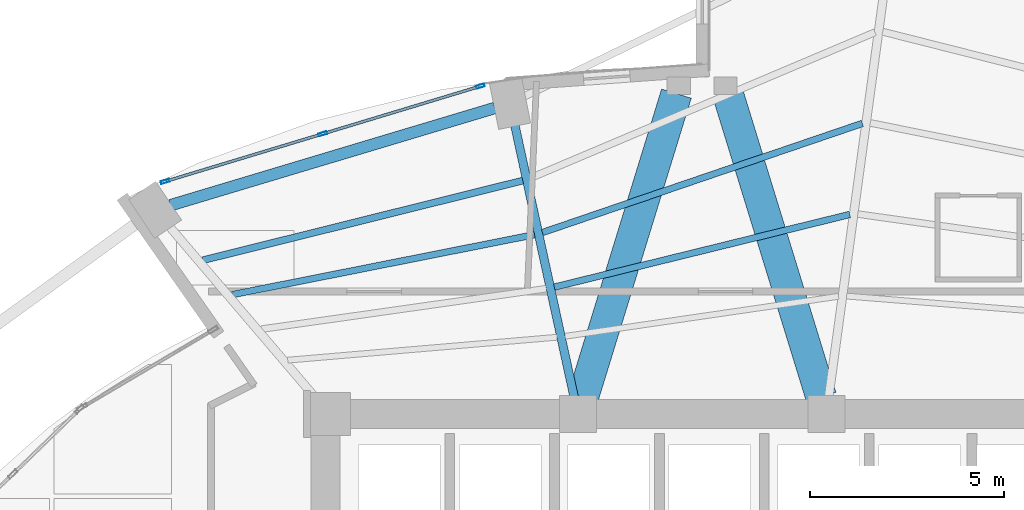
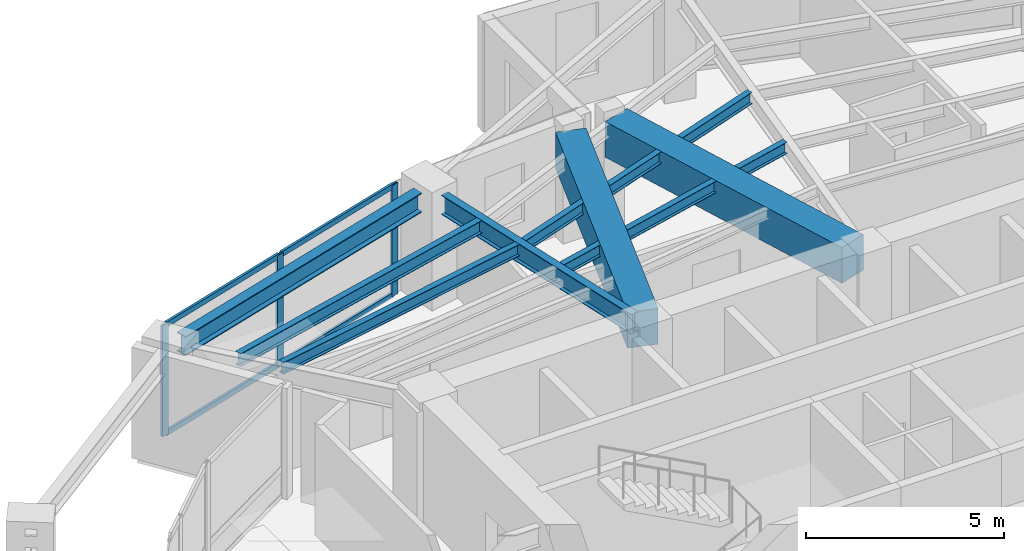
# One storey, part 15 of 24: 8 beams, 7 members, 1 element without a shape of its own.
"""IFC4 building model written with IfcOpenShell, lengths in metres."""

from ifc_helpers import new_model, si_unit, direction, frame, origin, origin_2d, place, context, subcontext, project, spatial, rectangle, hollow_rectangle, i_section, extrude, material, layer, layer_set, material_profile, profile_set, type_object, element, aggregate, save


model = new_model("IFC4")

# Units and contexts
model_context = context("Model", 3, precision=1e-05, world=origin(), true_north=direction((0.0, 1.0)))
body_context = subcontext(model_context, "Body", "Model", "MODEL_VIEW")
ifc_project = project(units=[si_unit("LENGTHUNIT", "METRE"), si_unit("AREAUNIT", "SQUARE_METRE"), si_unit("VOLUMEUNIT", "CUBIC_METRE"), si_unit("PLANEANGLEUNIT", "RADIAN"), si_unit("MASSUNIT", "GRAM", prefix="KILO")], contexts=[model_context])

# Site, building, storey
site_placement = place(None, origin())
site = spatial("IfcSite", under=ifc_project, at=site_placement, CompositionType="ELEMENT")
building_placement = place(site_placement, origin())
building = spatial("IfcBuilding", under=site, at=building_placement, Name="Lazwardi Medical Tower", CompositionType="ELEMENT")
storey_placement = place(building_placement, frame((0.0, 0.0, 114.575927734375)))
storey = spatial("IfcBuildingStorey", under=building, at=storey_placement, Name="L29", CompositionType="ELEMENT", Elevation=114.575927734375)

# Beams
ifc_material_1 = material(Name="Concrete C70/85", Category="concrete")
ifc_material_profile_1 = material_profile(ifc_material_1, rectangle(XDim=0.800048828125, YDim=1.10009765625, at=origin_2d()), Name="RC 800x1100")
ifc_profile_set_1 = profile_set([ifc_material_profile_1], Name="Concrete C70/85")
beam_type_1 = type_object("IfcBeamType", Name="BM-CB-RC1", PredefinedType="LINTEL", material=ifc_profile_set_1)
for number, where, z_axis, x_axis, name in (
    (1, (32.935302734375, 36.039794921875, 2.878173828125), (0.294073251002, 0.955782884888, 0.0), (-0.955782884888, 0.294073251002, 0.0), "Core coupling lintel CB-01 PL1 L29"),
    (2, (39.064697265625, 36.039794921875, 2.878173828125), (-0.294073251002, 0.955782884888, 0.0), (-0.955782884888, -0.294073251002, 0.0), "Core coupling lintel CB-01 PL2 L29"),
):
    element("IfcBeam", number, at=place(storey_placement, frame(where, z_axis=z_axis, x_axis=x_axis)), inside=storey, type_object=beam_type_1, Name=name, PredefinedType="LINTEL", context=body_context, shape_type="SweptSolid", body=[
        extrude(rectangle(XDim=0.800048828125, YDim=1.10009765625, at=origin_2d()), origin(), (0.0, 0.0, 1.0), 8.1708984375),
    ])
ifc_material_2 = material(Name="Steel S355", Category="steel")
ifc_material_profile_2 = material_profile(ifc_material_2, i_section(OverallWidth=0.300048828125, OverallDepth=0.60009765625, WebThickness=0.015380859375, FlangeThickness=0.030029296875, at=origin_2d()), Name="HEB 600")
ifc_profile_set_2 = profile_set([ifc_material_profile_2], Name="Steel S355")
beam_type_2 = type_object("IfcBeamType", Name="BM-RB-Z2", PredefinedType="BEAM", material=ifc_profile_set_2)
beam_1_placement = place(storey_placement, frame((30.661865234375, 43.4794921875, 3.128173828125), z_axis=(-0.957879438442, -0.287170648587, 0.0), x_axis=(0.287170648587, -0.957879438442, 0.0)))
element("IfcBeam", 3, at=beam_1_placement, inside=storey, type_object=beam_type_2, Name="Ring beam RB-03 B09 L29", PredefinedType="BEAM", context=body_context, shape_type="SweptSolid", body=[
    extrude(i_section(OverallWidth=0.300048828125, OverallDepth=0.60009765625, WebThickness=0.015380859375, FlangeThickness=0.030029296875, at=origin_2d()), origin(), (0.0, 0.0, 1.0), 8.719970703125),
])
ifc_material_profile_3 = material_profile(ifc_material_2, i_section(OverallWidth=0.219970703125, OverallDepth=0.60009765625, WebThickness=0.011962890625, FlangeThickness=0.01904296875, at=origin_2d()), Name="IPE 600")
ifc_profile_set_3 = profile_set([ifc_material_profile_3], Name="Steel S355")
beam_type_3 = type_object("IfcBeamType", Name="BM-RG-W1", PredefinedType="BEAM", material=ifc_profile_set_3)
beam_2_placement = place(storey_placement, frame((31.17822265625, 43.03076171875, 3.128173828125), z_axis=(0.213228150441, -0.977002433907, 0.0), x_axis=(0.977002433907, 0.213228150441, 0.0)))
element("IfcBeam", 4, at=beam_2_placement, inside=storey, type_object=beam_type_3, Name="Radial girder RG-02 R09 L29", PredefinedType="BEAM", context=body_context, shape_type="SweptSolid", body=[
    extrude(i_section(OverallWidth=0.219970703125, OverallDepth=0.60009765625, WebThickness=0.011962890625, FlangeThickness=0.01904296875, at=origin_2d()), origin(), (0.0, 0.0, 1.0), 7.145751953125),
])
ifc_material_profile_4 = material_profile(ifc_material_2, i_section(OverallWidth=0.179931640625, OverallDepth=0.39990234375, WebThickness=0.008544921875, FlangeThickness=0.013427734375, at=origin_2d()), Name="IPE 400")
ifc_profile_set_4 = profile_set([ifc_material_profile_4], Name="Steel S355")
beam_type_4 = type_object("IfcBeamType", Name="BM-SJ-01", PredefinedType="JOIST", material=ifc_profile_set_4)
beam_3_placement = place(storey_placement, frame((31.381103515625, 41.609130859375, 3.22802734375), z_axis=(-0.970400881943, -0.241499748081, 0.0), x_axis=(0.241499748081, -0.970400881943, 0.0)))
element("IfcBeam", 5, at=beam_3_placement, inside=storey, type_object=beam_type_4, Name="Secondary joist SJ-01 R1 B09 L29", PredefinedType="JOIST", context=body_context, shape_type="SweptSolid", body=[
    extrude(i_section(OverallWidth=0.179931640625, OverallDepth=0.39990234375, WebThickness=0.008544921875, FlangeThickness=0.013427734375, at=origin_2d()), origin(), (0.0, 0.0, 1.0), 8.48583984375),
])
ifc_material_profile_5 = material_profile(ifc_material_2, i_section(OverallWidth=0.169921875, OverallDepth=0.360107421875, WebThickness=0.008056640625, FlangeThickness=0.0126953125, at=origin_2d()), Name="IPE 360")
ifc_profile_set_5 = profile_set([ifc_material_profile_5], Name="Steel S355")
beam_type_5 = type_object("IfcBeamType", Name="BM-SJ-02", PredefinedType="JOIST", material=ifc_profile_set_5)
beam_4_placement = place(storey_placement, frame((40.125732421875, 43.08203125, 3.248046875), z_axis=(-0.946467154368, -0.322800132749, 0.0), x_axis=(0.322800132749, -0.946467154368, 0.0)))
element("IfcBeam", 6, at=beam_4_placement, inside=storey, type_object=beam_type_5, Name="Secondary joist SJ-02 R2 B08 L29", PredefinedType="JOIST", context=body_context, shape_type="SweptSolid", body=[
    extrude(i_section(OverallWidth=0.169921875, OverallDepth=0.360107421875, WebThickness=0.008056640625, FlangeThickness=0.0126953125, at=origin_2d()), origin(), (0.0, 0.0, 1.0), 8.70458984375),
])
beam_5_placement = place(storey_placement, frame((31.684814453125, 40.2177734375, 3.248046875), z_axis=(-0.980878853282, -0.194619308352, 0.0), x_axis=(0.194619308352, -0.980878853282, 0.0)))
element("IfcBeam", 7, at=beam_5_placement, inside=storey, type_object=beam_type_5, Name="Secondary joist SJ-02 R2 B09 L29", PredefinedType="JOIST", context=body_context, shape_type="SweptSolid", body=[
    extrude(i_section(OverallWidth=0.169921875, OverallDepth=0.360107421875, WebThickness=0.008056640625, FlangeThickness=0.0126953125, at=origin_2d()), origin(), (0.0, 0.0, 1.0), 7.93701171875),
])
beam_6_placement = place(storey_placement, frame((39.80224609375, 40.737548828125, 3.248046875), z_axis=(-0.97107737879, -0.238764998276, 0.0), x_axis=(0.238764998276, -0.97107737879, 0.0)))
element("IfcBeam", 8, at=beam_6_placement, inside=storey, type_object=beam_type_5, Name="Secondary joist SJ-02 R3 B08 L29", PredefinedType="JOIST", context=body_context, shape_type="SweptSolid", body=[
    extrude(i_section(OverallWidth=0.169921875, OverallDepth=0.360107421875, WebThickness=0.008056640625, FlangeThickness=0.0126953125, at=origin_2d()), origin(), (0.0, 0.0, 1.0), 7.83447265625),
])

# Curtain wall, members
ifc_material_3 = material(Name="Anodised bronze aluminium and solar control glazing", Category="aluminium")
ifc_layer = layer(ifc_material_3, 0.195068359375)
ifc_layer_set = layer_set([ifc_layer], Name="Anodised bronze aluminium and solar control glazing")
curtain_wall_type = type_object("IfcCurtainWallType", Name="CW-SYS-03", PredefinedType="NOTDEFINED", material=ifc_layer_set)
curtain_wall_placement = place(storey_placement, origin())
curtain_wall = element("IfcCurtainWall", 9, at=curtain_wall_placement, inside=storey, type_object=curtain_wall_type, Name="L29 Unitised bronze curtain wall CW-03", PredefinedType="NOTDEFINED")
ifc_material_4 = material(Name="Anodised bronze aluminium", Category="aluminium")
ifc_material_profile_6 = material_profile(ifc_material_4, hollow_rectangle(XDim=0.074951171875, YDim=0.219970703125, WallThickness=0.00390625, at=origin_2d()), Name="ALU-MULLION 220x75x4")
ifc_profile_set_6 = profile_set([ifc_material_profile_6], Name="Anodised bronze aluminium")
member_type_1 = type_object("IfcMemberType", Name="CW-MUL-01", PredefinedType="MULLION", material=ifc_profile_set_6)
member_1_placement = place(storey_placement, frame((30.289794921875, 44.0400390625, 0.0), z_axis=(0.0, 0.0, 1.0), x_axis=(0.28937381157, -0.957216170558, 0.0)))
member_1 = element("IfcMember", 10, at=member_1_placement, type_object=member_type_1, Name="CW-03 mullion 1", PredefinedType="MULLION", context=body_context, shape_type="SweptSolid", body=[
    extrude(hollow_rectangle(XDim=0.074951171875, YDim=0.219970703125, WallThickness=0.00390625, at=origin_2d()), origin(), (0.0, 0.0, 1.0), 3.427978515625),
])
member_2_placement = place(storey_placement, frame((26.230712890625, 42.81298828125, 0.0), z_axis=(0.0, 0.0, 1.0), x_axis=(0.28937381157, -0.957216170558, 0.0)))
member_2 = element("IfcMember", 11, at=member_2_placement, type_object=member_type_1, Name="CW-03 mullion 2", PredefinedType="MULLION", context=body_context, shape_type="SweptSolid", body=[
    extrude(hollow_rectangle(XDim=0.074951171875, YDim=0.219970703125, WallThickness=0.00390625, at=origin_2d()), origin(), (0.0, 0.0, 1.0), 3.427978515625),
])
member_3_placement = place(storey_placement, frame((22.171630859375, 41.5859375, 0.0), z_axis=(0.0, 0.0, 1.0), x_axis=(0.28937381157, -0.957216170558, 0.0)))
member_3 = element("IfcMember", 12, at=member_3_placement, type_object=member_type_1, Name="CW-03 mullion 3", PredefinedType="MULLION", context=body_context, shape_type="SweptSolid", body=[
    extrude(hollow_rectangle(XDim=0.074951171875, YDim=0.219970703125, WallThickness=0.00390625, at=origin_2d()), origin(), (0.0, 0.0, 1.0), 3.427978515625),
])
ifc_material_profile_7 = material_profile(ifc_material_4, hollow_rectangle(XDim=0.074951171875, YDim=0.159912109375, WallThickness=0.00390625, at=origin_2d()), Name="ALU-TRANSOM 160x75x4")
ifc_profile_set_7 = profile_set([ifc_material_profile_7], Name="Anodised bronze aluminium")
member_type_2 = type_object("IfcMemberType", Name="CW-TRN-01", PredefinedType="USERDEFINED", material=ifc_profile_set_7)
member_4_placement = place(storey_placement, frame((30.25390625, 44.029296875, 0.03759765625), z_axis=(-0.957220865985, -0.289358279168, 0.0), x_axis=(0.289358279168, -0.957220865985, 0.0)))
member_4 = element("IfcMember", 13, at=member_4_placement, type_object=member_type_2, Name="CW-03 transom 1.1", ObjectType="TRANSOM", PredefinedType="USERDEFINED", context=body_context, shape_type="SweptSolid", body=[
    extrude(hollow_rectangle(XDim=0.074951171875, YDim=0.159912109375, WallThickness=0.00390625, at=origin_2d()), origin(), (0.0, 0.0, 1.0), 4.16552734375),
])
member_5_placement = place(storey_placement, frame((30.25390625, 44.029296875, 3.390625), z_axis=(-0.957220865985, -0.289358279168, 0.0), x_axis=(0.289358279168, -0.957220865985, 0.0)))
member_5 = element("IfcMember", 14, at=member_5_placement, type_object=member_type_2, Name="CW-03 transom 1.2", ObjectType="TRANSOM", PredefinedType="USERDEFINED", context=body_context, shape_type="SweptSolid", body=[
    extrude(hollow_rectangle(XDim=0.074951171875, YDim=0.159912109375, WallThickness=0.00390625, at=origin_2d()), origin(), (0.0, 0.0, 1.0), 4.16552734375),
])
member_6_placement = place(storey_placement, frame((26.19482421875, 42.80224609375, 0.03759765625), z_axis=(-0.957220865985, -0.289358279168, 0.0), x_axis=(0.289358279168, -0.957220865985, 0.0)))
member_6 = element("IfcMember", 15, at=member_6_placement, type_object=member_type_2, Name="CW-03 transom 2.1", ObjectType="TRANSOM", PredefinedType="USERDEFINED", context=body_context, shape_type="SweptSolid", body=[
    extrude(hollow_rectangle(XDim=0.074951171875, YDim=0.159912109375, WallThickness=0.00390625, at=origin_2d()), origin(), (0.0, 0.0, 1.0), 4.16552734375),
])
member_7_placement = place(storey_placement, frame((26.19482421875, 42.80224609375, 3.390625), z_axis=(-0.957220865985, -0.289358279168, 0.0), x_axis=(0.289358279168, -0.957220865985, 0.0)))
member_7 = element("IfcMember", 16, at=member_7_placement, type_object=member_type_2, Name="CW-03 transom 2.2", ObjectType="TRANSOM", PredefinedType="USERDEFINED", context=body_context, shape_type="SweptSolid", body=[
    extrude(hollow_rectangle(XDim=0.074951171875, YDim=0.159912109375, WallThickness=0.00390625, at=origin_2d()), origin(), (0.0, 0.0, 1.0), 4.16552734375),
])
aggregate(curtain_wall, [member_1, member_2, member_3, member_4, member_5, member_6, member_7])

save(model, "model.ifc")
